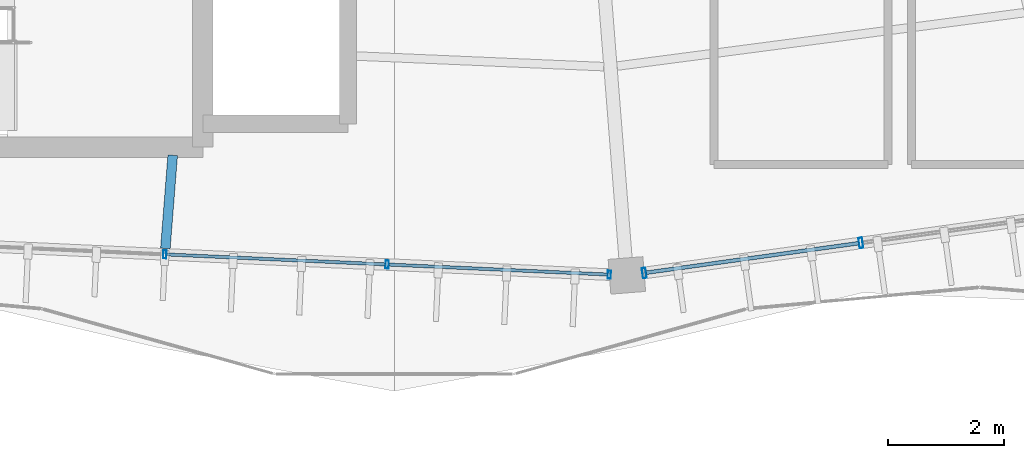
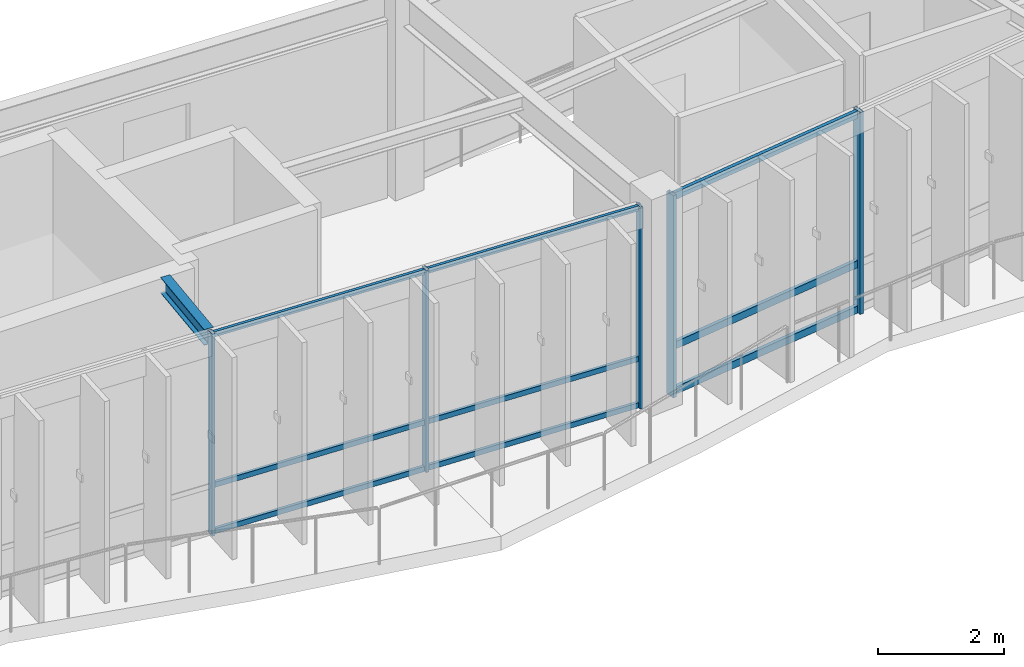
# One storey, part 10 of 83: 14 members, 1 beam, 2 elements without a shape of their own.
"""IFC4 building model written with IfcOpenShell, lengths in metres."""

from ifc_helpers import new_model, si_unit, direction, frame, origin, origin_2d, place, context, subcontext, project, spatial, hollow_rectangle, i_section, extrude, material, material_profile, profile_set, type_object, element, aggregate, save


model = new_model("IFC4")

# Units and contexts
model_context = context("Model", 3, precision=1e-05, world=origin(), true_north=direction((0.0, 1.0)))
body_context = subcontext(model_context, "Body", "Model", "MODEL_VIEW")
ifc_project = project(units=[si_unit("LENGTHUNIT", "METRE"), si_unit("AREAUNIT", "SQUARE_METRE"), si_unit("VOLUMEUNIT", "CUBIC_METRE"), si_unit("PLANEANGLEUNIT", "RADIAN"), si_unit("MASSUNIT", "GRAM", prefix="KILO"), si_unit("THERMODYNAMICTEMPERATUREUNIT", "KELVIN"), si_unit("POWERUNIT", "WATT")], contexts=[model_context])

# Site, building, storey
site_placement = place(None, origin())
site = spatial("IfcSite", under=ifc_project, at=site_placement, CompositionType="ELEMENT")
building_placement = place(site_placement, origin())
building = spatial("IfcBuilding", under=site, at=building_placement, Name="Darbajah Civic Hall", CompositionType="ELEMENT")
storey_placement = place(building_placement, frame((0.0, 0.0, 18.0)))
storey = spatial("IfcBuildingStorey", under=building, at=storey_placement, Name="L04", CompositionType="ELEMENT", Elevation=18.0)

# Curtain wall, members
ifc_material_1 = material(Name="Anodised Bronze Aluminium and Low-E Glazing", Category="aluminium")
curtain_wall_type_1 = type_object("IfcCurtainWallType", Name="Unitised Curtain Wall CW-61 15300x3900", PredefinedType="USERDEFINED", material=ifc_material_1)
curtain_wall_1_placement = place(storey_placement, origin())
curtain_wall_1 = element("IfcCurtainWall", 1, at=curtain_wall_1_placement, inside=storey, type_object=curtain_wall_type_1, Name="L04 unitised curtain wall CW-V1O-L04-14", ObjectType="UNITISED CURTAIN WALL", PredefinedType="USERDEFINED")
ifc_material_2 = material(Name="Anodised Bronze Aluminium", Category="aluminium")
ifc_material_profile_1 = material_profile(ifc_material_2, hollow_rectangle(XDim=0.054931640625, YDim=0.139892578125, WallThickness=0.003173828125, at=origin_2d()), Name="ALU MULLION 55x140")
ifc_profile_set_1 = profile_set([ifc_material_profile_1], Name="Anodised Bronze Aluminium")
member_type_1 = type_object("IfcMemberType", Name="ALU MULLION 55x140", PredefinedType="MULLION", material=ifc_profile_set_1)
member_1_placement = place(storey_placement, frame((85.14794921875, 60.7529296875, 0.0), z_axis=(0.0, 0.0, 1.0), x_axis=(0.998962637241, -0.045537340693, 0.0)))
member_1 = element("IfcMember", 2, at=member_1_placement, type_object=member_type_1, Name="CW-V1O-L04-14 mullion 3", PredefinedType="MULLION", context=body_context, shape_type="SweptSolid", body=[
    extrude(hollow_rectangle(XDim=0.054931640625, YDim=0.139892578125, WallThickness=0.003173828125, at=origin_2d()), origin(), (0.0, 0.0, 1.0), 3.919921875),
])
member_2_placement = place(storey_placement, frame((88.973876953125, 60.578857421875, 0.0), z_axis=(0.0, 0.0, 1.0), x_axis=(0.998962637241, -0.045537340693, 0.0)))
member_2 = element("IfcMember", 3, at=member_2_placement, type_object=member_type_1, Name="CW-V1O-L04-14 mullion 4", PredefinedType="MULLION", context=body_context, shape_type="SweptSolid", body=[
    extrude(hollow_rectangle(XDim=0.054931640625, YDim=0.139892578125, WallThickness=0.003173828125, at=origin_2d()), origin(), (0.0, 0.0, 1.0), 3.919921875),
])
member_3_placement = place(storey_placement, frame((92.7998046875, 60.404541015625, 0.0), z_axis=(0.0, 0.0, 1.0), x_axis=(0.998962637241, -0.045537340693, 0.0)))
member_3 = element("IfcMember", 4, at=member_3_placement, type_object=member_type_1, Name="CW-V1O-L04-14 mullion 5", PredefinedType="MULLION", context=body_context, shape_type="SweptSolid", body=[
    extrude(hollow_rectangle(XDim=0.054931640625, YDim=0.139892578125, WallThickness=0.003173828125, at=origin_2d()), origin(), (0.0, 0.0, 1.0), 3.919921875),
])

curtain_wall_type_2 = type_object("IfcCurtainWallType", Name="Unitised Curtain Wall CW-72 15100x3900", PredefinedType="USERDEFINED", material=ifc_material_1)
curtain_wall_2_placement = place(storey_placement, origin())
curtain_wall_2 = element("IfcCurtainWall", 5, at=curtain_wall_2_placement, inside=storey, type_object=curtain_wall_type_2, Name="L04 unitised curtain wall CW-V1O-L04-15", ObjectType="UNITISED CURTAIN WALL", PredefinedType="USERDEFINED")
ifc_material_profile_2 = material_profile(ifc_material_2, hollow_rectangle(XDim=0.06494140625, YDim=0.179931640625, WallThickness=0.00390625, at=origin_2d()), Name="ALU MULLION 65x180")
ifc_profile_set_2 = profile_set([ifc_material_profile_2], Name="Anodised Bronze Aluminium")
member_type_2 = type_object("IfcMemberType", Name="ALU MULLION 65x180", PredefinedType="MULLION", material=ifc_profile_set_2)
member_4_placement = place(storey_placement, frame((93.400390625, 60.432373046875, 0.0), z_axis=(0.0, 0.0, 1.0), x_axis=(0.990485459553, 0.137617420457, 0.0)))
member_4 = element("IfcMember", 6, at=member_4_placement, type_object=member_type_2, Name="CW-V1O-L04-15 mullion 1", PredefinedType="MULLION", context=body_context, shape_type="SweptSolid", body=[
    extrude(hollow_rectangle(XDim=0.06494140625, YDim=0.179931640625, WallThickness=0.00390625, at=origin_2d()), origin(), (0.0, 0.0, 1.0), 3.919921875),
])
member_5_placement = place(storey_placement, frame((97.1298828125, 60.9501953125, 0.0), z_axis=(0.0, 0.0, 1.0), x_axis=(0.990485459553, 0.137617420457, 0.0)))
member_5 = element("IfcMember", 7, at=member_5_placement, type_object=member_type_2, Name="CW-V1O-L04-15 mullion 2", PredefinedType="MULLION", context=body_context, shape_type="SweptSolid", body=[
    extrude(hollow_rectangle(XDim=0.06494140625, YDim=0.179931640625, WallThickness=0.00390625, at=origin_2d()), origin(), (0.0, 0.0, 1.0), 3.919921875),
])

# Member
ifc_material_profile_3 = material_profile(ifc_material_2, hollow_rectangle(XDim=0.054931640625, YDim=0.10009765625, WallThickness=0.0029296875, at=origin_2d()), Name="ALU TRANSOM 55x100")
ifc_profile_set_3 = profile_set([ifc_material_profile_3], Name="Anodised Bronze Aluminium")
member_type_3 = type_object("IfcMemberType", Name="ALU TRANSOM 55x100", PredefinedType="USERDEFINED", material=ifc_profile_set_3)
member_6_placement = place(storey_placement, frame((85.180419921875, 60.75146484375, 0.050048828125), z_axis=(0.998966265975, -0.045457666501, 0.0), x_axis=(0.045457666501, 0.998966265975, 0.0)))
member_6 = element("IfcMember", 8, at=member_6_placement, type_object=member_type_3, Name="CW-V1O-L04-14 transom 3.1", ObjectType="TRANSOM", PredefinedType="USERDEFINED", context=body_context, shape_type="SweptSolid", body=[
    extrude(hollow_rectangle(XDim=0.054931640625, YDim=0.10009765625, WallThickness=0.0029296875, at=origin_2d()), origin(), (0.0, 0.0, 1.0), 3.764892578125),
])

member_7_placement = place(storey_placement, frame((85.180419921875, 60.75146484375, 0.949951171875), z_axis=(0.998966265975, -0.045457666501, 0.0), x_axis=(0.045457666501, 0.998966265975, 0.0)))
member_7 = element("IfcMember", 9, at=member_7_placement, type_object=member_type_3, Name="CW-V1O-L04-14 transom 3.2", ObjectType="TRANSOM", PredefinedType="USERDEFINED", context=body_context, shape_type="SweptSolid", body=[
    extrude(hollow_rectangle(XDim=0.054931640625, YDim=0.10009765625, WallThickness=0.0029296875, at=origin_2d()), origin(), (0.0, 0.0, 1.0), 3.764892578125),
])

member_8_placement = place(storey_placement, frame((85.180419921875, 60.75146484375, 3.8701171875), z_axis=(0.998966265975, -0.045457666501, 0.0), x_axis=(0.045457666501, 0.998966265975, 0.0)))
member_8 = element("IfcMember", 10, at=member_8_placement, type_object=member_type_3, Name="CW-V1O-L04-14 transom 3.3", ObjectType="TRANSOM", PredefinedType="USERDEFINED", context=body_context, shape_type="SweptSolid", body=[
    extrude(hollow_rectangle(XDim=0.054931640625, YDim=0.10009765625, WallThickness=0.0029296875, at=origin_2d()), origin(), (0.0, 0.0, 1.0), 3.764892578125),
])

member_9_placement = place(storey_placement, frame((89.006103515625, 60.577392578125, 0.050048828125), z_axis=(0.998963319147, -0.0455223791, 0.0), x_axis=(0.0455223791, 0.998963319147, 0.0)))
member_9 = element("IfcMember", 11, at=member_9_placement, type_object=member_type_3, Name="CW-V1O-L04-14 transom 4.1", ObjectType="TRANSOM", PredefinedType="USERDEFINED", context=body_context, shape_type="SweptSolid", body=[
    extrude(hollow_rectangle(XDim=0.054931640625, YDim=0.10009765625, WallThickness=0.0029296875, at=origin_2d()), origin(), (0.0, 0.0, 1.0), 3.764892578125),
])

member_10_placement = place(storey_placement, frame((89.006103515625, 60.577392578125, 0.949951171875), z_axis=(0.998963319147, -0.0455223791, 0.0), x_axis=(0.0455223791, 0.998963319147, 0.0)))
member_10 = element("IfcMember", 12, at=member_10_placement, type_object=member_type_3, Name="CW-V1O-L04-14 transom 4.2", ObjectType="TRANSOM", PredefinedType="USERDEFINED", context=body_context, shape_type="SweptSolid", body=[
    extrude(hollow_rectangle(XDim=0.054931640625, YDim=0.10009765625, WallThickness=0.0029296875, at=origin_2d()), origin(), (0.0, 0.0, 1.0), 3.764892578125),
])

member_11_placement = place(storey_placement, frame((89.006103515625, 60.577392578125, 3.8701171875), z_axis=(0.998963319147, -0.0455223791, 0.0), x_axis=(0.0455223791, 0.998963319147, 0.0)))
member_11 = element("IfcMember", 13, at=member_11_placement, type_object=member_type_3, Name="CW-V1O-L04-14 transom 4.3", ObjectType="TRANSOM", PredefinedType="USERDEFINED", context=body_context, shape_type="SweptSolid", body=[
    extrude(hollow_rectangle(XDim=0.054931640625, YDim=0.10009765625, WallThickness=0.0029296875, at=origin_2d()), origin(), (0.0, 0.0, 1.0), 3.764892578125),
])

aggregate(curtain_wall_1, [member_1, member_2, member_3, member_6, member_7, member_8, member_9, member_10, member_11])

ifc_material_profile_4 = material_profile(ifc_material_2, hollow_rectangle(XDim=0.06494140625, YDim=0.139892578125, WallThickness=0.00341796875, at=origin_2d()), Name="ALU TRANSOM 65x140")
ifc_profile_set_4 = profile_set([ifc_material_profile_4], Name="Anodised Bronze Aluminium")
member_type_4 = type_object("IfcMemberType", Name="ALU TRANSOM 65x140", PredefinedType="USERDEFINED", material=ifc_profile_set_4)
member_12_placement = place(storey_placement, frame((93.4375, 60.4375, 0.070068359375), z_axis=(0.990487264499, 0.137604428945, 0.0), x_axis=(-0.137604428945, 0.990487264499, 0.0)))
member_12 = element("IfcMember", 14, at=member_12_placement, type_object=member_type_4, Name="CW-V1O-L04-15 transom 1.1", ObjectType="TRANSOM", PredefinedType="USERDEFINED", context=body_context, shape_type="SweptSolid", body=[
    extrude(hollow_rectangle(XDim=0.06494140625, YDim=0.139892578125, WallThickness=0.00341796875, at=origin_2d()), origin(), (0.0, 0.0, 1.0), 3.6904296875),
])

member_13_placement = place(storey_placement, frame((93.4375, 60.4375, 0.949951171875), z_axis=(0.990487264499, 0.137604428945, 0.0), x_axis=(-0.137604428945, 0.990487264499, 0.0)))
member_13 = element("IfcMember", 15, at=member_13_placement, type_object=member_type_4, Name="CW-V1O-L04-15 transom 1.2", ObjectType="TRANSOM", PredefinedType="USERDEFINED", context=body_context, shape_type="SweptSolid", body=[
    extrude(hollow_rectangle(XDim=0.06494140625, YDim=0.139892578125, WallThickness=0.00341796875, at=origin_2d()), origin(), (0.0, 0.0, 1.0), 3.6904296875),
])

member_14_placement = place(storey_placement, frame((93.4375, 60.4375, 3.85009765625), z_axis=(0.990487264499, 0.137604428945, 0.0), x_axis=(-0.137604428945, 0.990487264499, 0.0)))
member_14 = element("IfcMember", 16, at=member_14_placement, type_object=member_type_4, Name="CW-V1O-L04-15 transom 1.3", ObjectType="TRANSOM", PredefinedType="USERDEFINED", context=body_context, shape_type="SweptSolid", body=[
    extrude(hollow_rectangle(XDim=0.06494140625, YDim=0.139892578125, WallThickness=0.00341796875, at=origin_2d()), origin(), (0.0, 0.0, 1.0), 3.6904296875),
])

aggregate(curtain_wall_2, [member_4, member_5, member_12, member_13, member_14])

# Beam
ifc_material_3 = material(Name="Steel S355JR", Category="steel")
ifc_material_profile_5 = material_profile(ifc_material_3, i_section(OverallWidth=0.165771484375, OverallDepth=0.306640625, WebThickness=0.006591796875, FlangeThickness=0.01171875, FilletRadius=0.0087890625, at=origin_2d()), Name="UB 305x165x46")
ifc_profile_set_5 = profile_set([ifc_material_profile_5], Name="Steel S355JR")
beam_type = type_object("IfcBeamType", Name="UB 305x165x46", PredefinedType="JOIST", material=ifc_profile_set_5)
beam_placement = place(storey_placement, frame((85.2822265625, 62.4599609375, 3.7666015625), z_axis=(-0.078389217268, -0.996922830823, 0.0), x_axis=(0.996922830823, -0.078389217268, 0.0)))
element("IfcBeam", 17, at=beam_placement, inside=storey, type_object=beam_type, Name="L04 beam SJ-305", PredefinedType="JOIST", context=body_context, shape_type="SweptSolid", body=[
    extrude(i_section(OverallWidth=0.165771484375, OverallDepth=0.306640625, WebThickness=0.006591796875, FlangeThickness=0.01171875, FilletRadius=0.0087890625, at=origin_2d()), origin(), (0.0, 0.0, 1.0), 1.610107421875),
])

save(model, "model.ifc")
